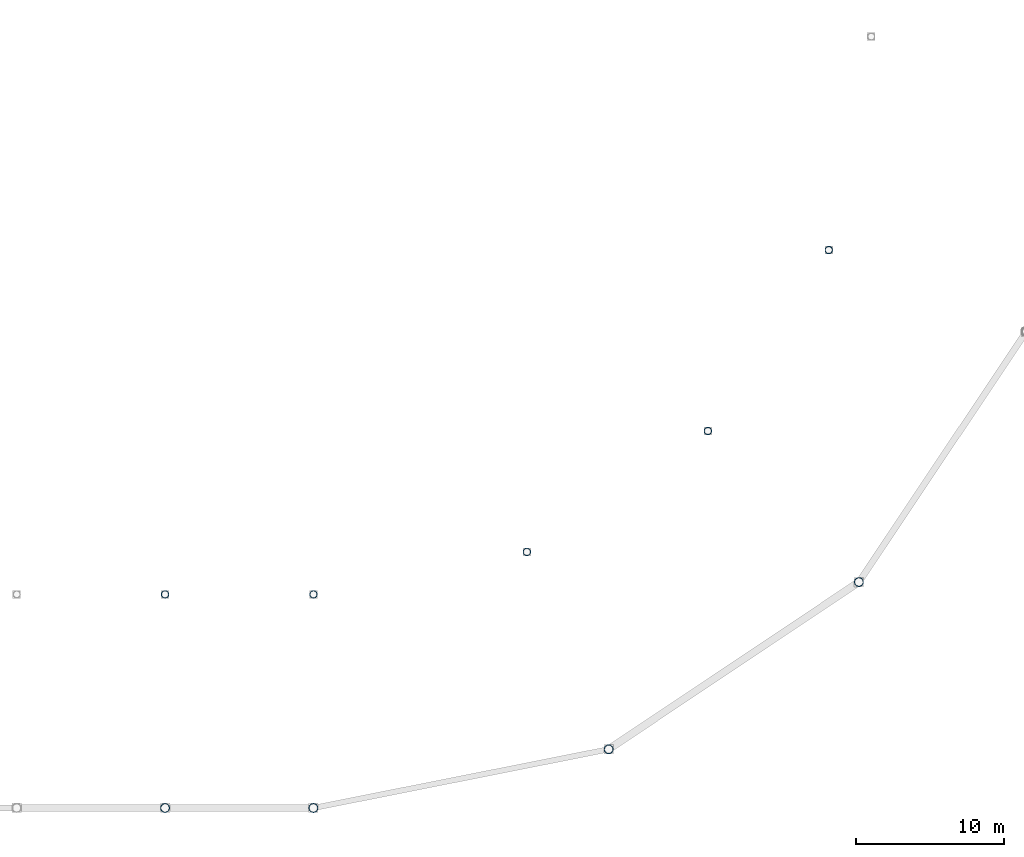
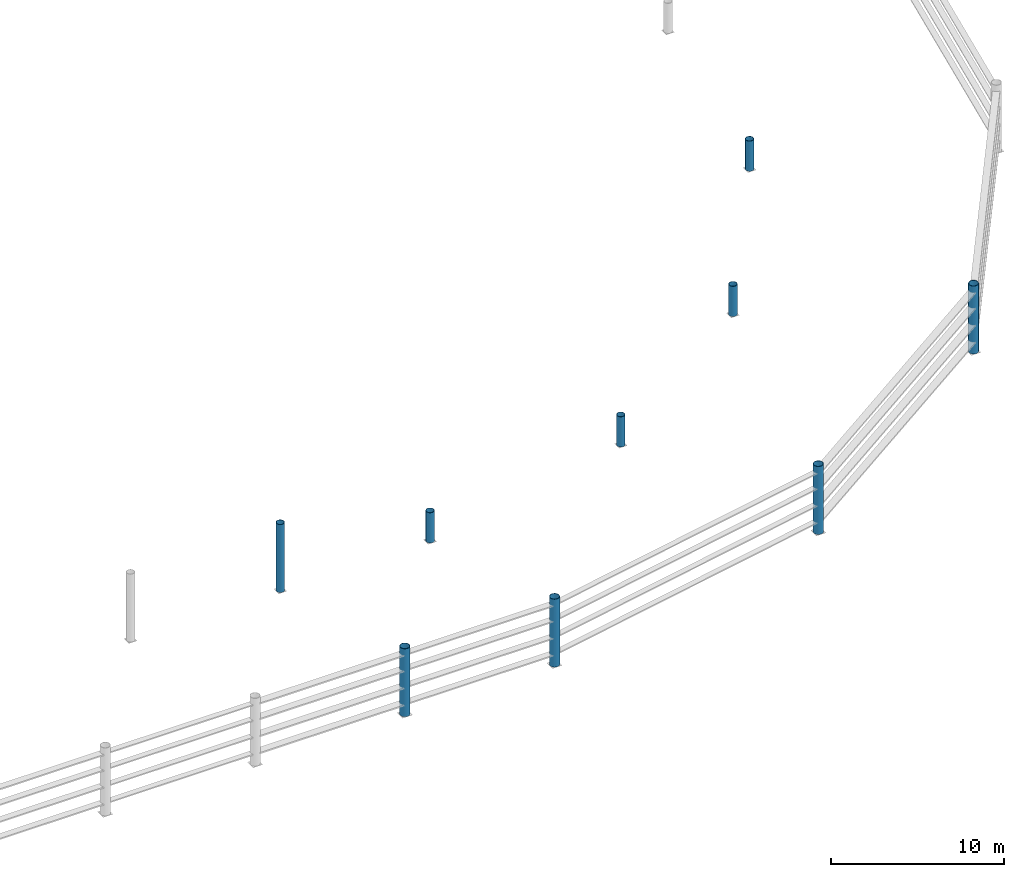
# One storey, part 11 of 29: 9 columns.
"""IFC4 building model written with IfcOpenShell, lengths in metres."""

from ifc_helpers import new_model, si_unit, direction, frame, origin, origin_2d, place, context, subcontext, project, spatial, hollow_circle, extrude, material, material_profile, profile_set, type_object, element, save


model = new_model("IFC4")

# Units and contexts
model_context = context("Model", 3, precision=1e-05, world=origin(), true_north=direction((0.0, 1.0)))
body_context = subcontext(model_context, "Body", "Model", "MODEL_VIEW")
ifc_project = project(units=[si_unit("LENGTHUNIT", "METRE"), si_unit("AREAUNIT", "SQUARE_METRE"), si_unit("VOLUMEUNIT", "CUBIC_METRE"), si_unit("PLANEANGLEUNIT", "RADIAN"), si_unit("MASSUNIT", "GRAM", prefix="KILO")], contexts=[model_context])

# Site, building, storey
site_placement = place(None, origin())
site = spatial("IfcSite", under=ifc_project, at=site_placement, CompositionType="ELEMENT")
building_placement = place(site_placement, origin())
building = spatial("IfcBuilding", under=site, at=building_placement, Name="Candeia Ridge Stadium", CompositionType="ELEMENT")
storey_placement = place(building_placement, frame((0.0, 0.0, 27.0)))
storey = spatial("IfcBuildingStorey", under=building, at=storey_placement, Name="L05", CompositionType="ELEMENT", Elevation=27.0)

# Columns
ifc_material = material(Name="Steel ASTM A572 Grade 50", Category="steel")
ifc_material_profile_1 = material_profile(ifc_material, hollow_circle(Radius=0.25390625, WallThickness=0.02197265625, at=origin_2d()), Name="CHS508x22", Category="steel")
ifc_profile_set_1 = profile_set([ifc_material_profile_1], Name="Steel ASTM A572 Grade 50")
column_type_1 = type_object("IfcColumnType", Name="Roof Inner Mast CHS508x22", PredefinedType="PILASTER", material=ifc_profile_set_1)
column_placement = place(storey_placement, frame((131.0, 33.39990234375, 0.0), z_axis=(0.0, 0.0, 1.0), x_axis=(1.0, 0.0, 0.0)))
element("IfcColumn", 1, at=column_placement, inside=storey, type_object=column_type_1, Name="Roof truss steel mast column BC-MD-24 L05", PredefinedType="PILASTER", context=body_context, shape_type="SweptSolid", body=[
    extrude(hollow_circle(Radius=0.25390625, WallThickness=0.02197265625, at=origin_2d()), origin(), (0.0, 0.0, 1.0), 4.800048828125),
])
for number, where, z_axis, x_axis, name in (
    (2, (141.0, 33.39990234375, 0.0), (0.0, 0.0, 1.0), (1.0, 0.0, 0.0), "Roof truss steel mast column BC-MD-25 L05"),
    (3, (155.388916015625, 36.26220703125, 0.0), (0.0, 0.0, 1.0), (1.0, 0.0, 0.0), "Roof truss steel mast column BC-MD-26 L05"),
    (4, (167.587158203125, 44.412841796875, 0.0), (0.0, 0.0, 1.0), (1.0, 0.0, 0.0), "Roof truss steel mast column BC-MD-27 L05"),
    (5, (175.73779296875, 56.611083984375, 0.0), (0.0, 0.0, 1.0), (1.0, 0.0, 0.0), "Roof truss steel mast column BC-MD-28 L05"),
):
    element("IfcColumn", number, at=place(storey_placement, frame(where, z_axis=z_axis, x_axis=x_axis)), inside=storey, type_object=column_type_1, Name=name, PredefinedType="PILASTER", context=body_context, shape_type="SweptSolid", body=[
        extrude(hollow_circle(Radius=0.25390625, WallThickness=0.02197265625, at=origin_2d()), origin(), (0.0, 0.0, 1.0), 2.135986328125),
    ])
ifc_material_profile_2 = material_profile(ifc_material, hollow_circle(Radius=0.304931640625, WallThickness=0.02490234375, at=origin_2d()), Name="CHS610x25", Category="steel")
ifc_profile_set_2 = profile_set([ifc_material_profile_2], Name="Steel ASTM A572 Grade 50")
column_type_2 = type_object("IfcColumnType", Name="Roof Mast Column CHS610x25", PredefinedType="PILASTER", material=ifc_profile_set_2)
for number, where, z_axis, x_axis, name in (
    (6, (131.0, 19.0, 0.0), (0.0, 0.0, 1.0), (1.0, 0.0, 0.0), "Roof truss steel mast column BC-OU-24 L05"),
    (7, (141.0, 19.0, 0.0), (0.0, 0.0, 1.0), (1.0, 0.0, 0.0), "Roof truss steel mast column BC-OU-25 L05"),
    (8, (160.899658203125, 22.958251953125, 0.0), (0.0, 0.0, 1.0), (1.0, 0.0, 0.0), "Roof truss steel mast column BC-OU-26 L05"),
    (9, (177.76953125, 34.23046875, 0.0), (0.0, 0.0, 1.0), (1.0, 0.0, 0.0), "Roof truss steel mast column BC-OU-27 L05"),
):
    element("IfcColumn", number, at=place(storey_placement, frame(where, z_axis=z_axis, x_axis=x_axis)), inside=storey, type_object=column_type_2, Name=name, PredefinedType="PILASTER", context=body_context, shape_type="SweptSolid", body=[
        extrude(hollow_circle(Radius=0.304931640625, WallThickness=0.02490234375, at=origin_2d()), origin(), (0.0, 0.0, 1.0), 4.800048828125),
    ])

save(model, "model.ifc")
